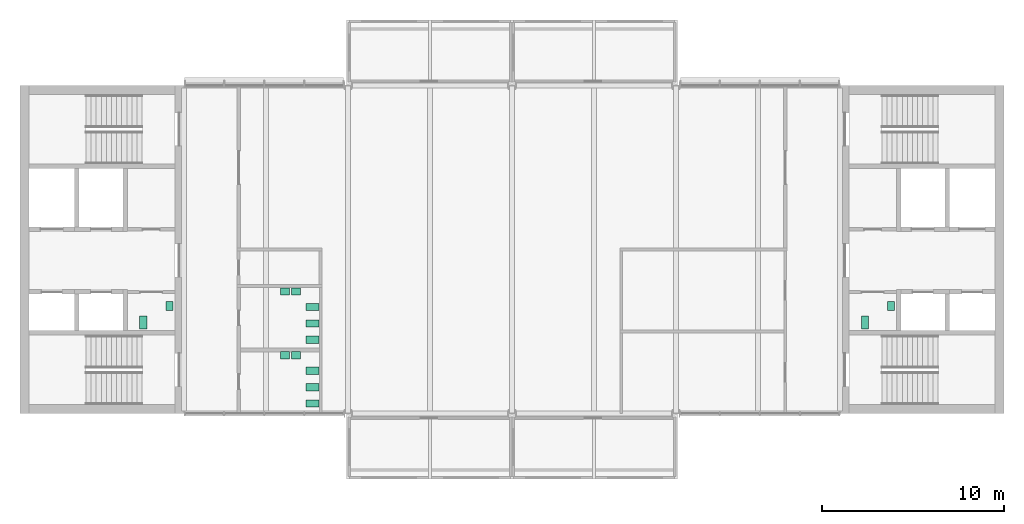
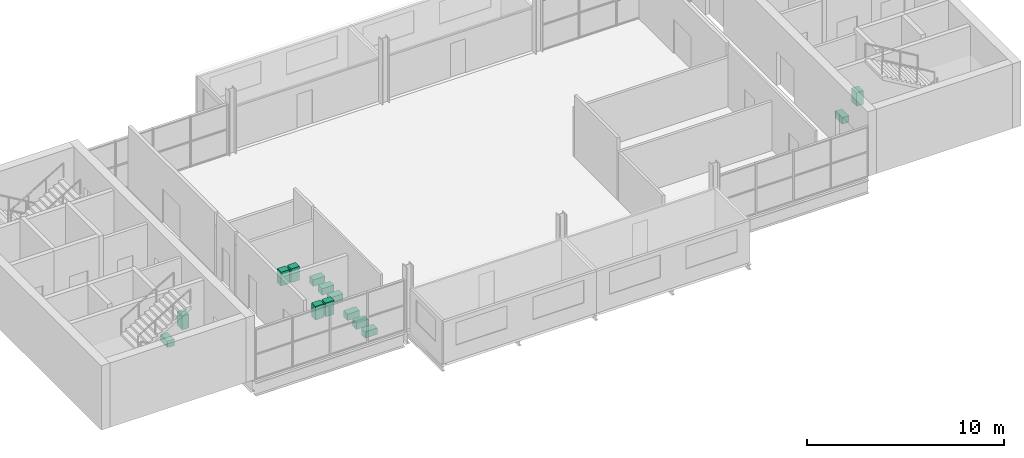
# One storey, part 10 of 10: 14 sanitary terminals.
"""IFC4 building model written with IfcOpenShell, lengths in metres."""

from ifc_helpers import new_model, si_unit, direction, frame, origin, origin_2d, place, context, subcontext, project, spatial, rectangle, extrude, element, save


model = new_model("IFC4")

# Units and contexts
model_context = context("Model", 3, precision=1e-05, world=origin(), true_north=direction((0.0, 1.0)))
body_context = subcontext(model_context, "Body", "Model", "MODEL_VIEW")
ifc_project = project(units=[si_unit("LENGTHUNIT", "METRE"), si_unit("AREAUNIT", "SQUARE_METRE"), si_unit("VOLUMEUNIT", "CUBIC_METRE"), si_unit("PLANEANGLEUNIT", "RADIAN"), si_unit("MASSUNIT", "GRAM", prefix="KILO")], contexts=[model_context])

# Site, building, storey
site_placement = place(None, origin())
site = spatial("IfcSite", under=ifc_project, at=site_placement, CompositionType="ELEMENT")
building_placement = place(site_placement, origin())
building = spatial("IfcBuilding", under=site, at=building_placement, Name="Corbel Yard City Hall", CompositionType="ELEMENT")
storey_placement = place(building_placement, frame((0.0, 0.0, 27.199951171875)))
storey = spatial("IfcBuildingStorey", under=building, at=storey_placement, Name="L06", CompositionType="ELEMENT", Elevation=27.199951171875)

# Sanitary terminals
sanitary_terminal_1_placement = place(storey_placement, frame((46.36669921875, 104.0, 0.0), z_axis=(0.0, 0.0, 1.0), x_axis=(1.0, 0.0, 0.0)))
element("IfcSanitaryTerminal", 1, at=sanitary_terminal_1_placement, inside=storey, Name="Water closet", PredefinedType="TOILETPAN", context=body_context, shape_type="SweptSolid", body=[
    extrude(rectangle(XDim=0.39990234375, YDim=0.699951171875, at=origin_2d()), origin(), (0.0, 0.0, 1.0), 0.39990234375),
])
sanitary_terminal_2_placement = place(storey_placement, frame((47.800048828125, 104.89990234375, 0.0), z_axis=(0.0, 0.0, 1.0), x_axis=(1.0, 0.0, 0.0)))
element("IfcSanitaryTerminal", 2, at=sanitary_terminal_2_placement, inside=storey, Name="Wash basin", PredefinedType="WASHHANDBASIN", context=body_context, shape_type="SweptSolid", body=[
    extrude(rectangle(XDim=0.39990234375, YDim=0.5, at=origin_2d()), origin(), (0.0, 0.0, 1.0), 0.85009765625),
])
sanitary_terminal_3_placement = place(storey_placement, frame((6.7666015625, 104.0, 0.0), z_axis=(0.0, 0.0, 1.0), x_axis=(1.0, 0.0, 0.0)))
element("IfcSanitaryTerminal", 3, at=sanitary_terminal_3_placement, inside=storey, Name="Water closet", PredefinedType="TOILETPAN", context=body_context, shape_type="SweptSolid", body=[
    extrude(rectangle(XDim=0.39990234375, YDim=0.699951171875, at=origin_2d()), origin(), (0.0, 0.0, 1.0), 0.39990234375),
])
sanitary_terminal_4_placement = place(storey_placement, frame((8.199951171875, 104.89990234375, 0.0), z_axis=(0.0, 0.0, 1.0), x_axis=(1.0, 0.0, 0.0)))
element("IfcSanitaryTerminal", 4, at=sanitary_terminal_4_placement, inside=storey, Name="Wash basin", PredefinedType="WASHHANDBASIN", context=body_context, shape_type="SweptSolid", body=[
    extrude(rectangle(XDim=0.39990234375, YDim=0.5, at=origin_2d()), origin(), (0.0, 0.0, 1.0), 0.85009765625),
])
for number, where, z_axis, x_axis, name in (
    (5, (16.050048828125, 99.550048828125, 0.0), (0.0, 0.0, 1.0), (1.0, 0.0, 0.0), "Water closet"),
    (6, (16.050048828125, 100.449951171875, 0.0), (0.0, 0.0, 1.0), (1.0, 0.0, 0.0), "Water closet"),
    (7, (16.050048828125, 101.35009765625, 0.0), (0.0, 0.0, 1.0), (1.0, 0.0, 0.0), "Water closet"),
):
    element("IfcSanitaryTerminal", number, at=place(storey_placement, frame(where, z_axis=z_axis, x_axis=x_axis)), inside=storey, Name=name, PredefinedType="TOILETPAN", context=body_context, shape_type="SweptSolid", body=[
        extrude(rectangle(XDim=0.699951171875, YDim=0.39990234375, at=origin_2d()), origin(), (0.0, 0.0, 1.0), 0.39990234375),
    ])
for number, where, z_axis, x_axis, name in (
    (8, (15.14990234375, 102.199951171875, 0.0), (0.0, 0.0, 1.0), (1.0, 0.0, 0.0), "Wash basin"),
    (9, (14.550048828125, 102.199951171875, 0.0), (0.0, 0.0, 1.0), (1.0, 0.0, 0.0), "Wash basin"),
):
    element("IfcSanitaryTerminal", number, at=place(storey_placement, frame(where, z_axis=z_axis, x_axis=x_axis)), inside=storey, Name=name, PredefinedType="WASHHANDBASIN", context=body_context, shape_type="SweptSolid", body=[
        extrude(rectangle(XDim=0.5, YDim=0.39990234375, at=origin_2d()), origin(), (0.0, 0.0, 1.0), 0.85009765625),
    ])
for number, where, z_axis, x_axis, name in (
    (10, (16.050048828125, 103.050048828125, 0.0), (0.0, 0.0, 1.0), (1.0, 0.0, 0.0), "Water closet"),
    (11, (16.050048828125, 103.949951171875, 0.0), (0.0, 0.0, 1.0), (1.0, 0.0, 0.0), "Water closet"),
    (12, (16.050048828125, 104.85009765625, 0.0), (0.0, 0.0, 1.0), (1.0, 0.0, 0.0), "Water closet"),
):
    element("IfcSanitaryTerminal", number, at=place(storey_placement, frame(where, z_axis=z_axis, x_axis=x_axis)), inside=storey, Name=name, PredefinedType="TOILETPAN", context=body_context, shape_type="SweptSolid", body=[
        extrude(rectangle(XDim=0.699951171875, YDim=0.39990234375, at=origin_2d()), origin(), (0.0, 0.0, 1.0), 0.39990234375),
    ])
for number, where, z_axis, x_axis, name in (
    (13, (15.14990234375, 105.699951171875, 0.0), (0.0, 0.0, 1.0), (1.0, 0.0, 0.0), "Wash basin"),
    (14, (14.550048828125, 105.699951171875, 0.0), (0.0, 0.0, 1.0), (1.0, 0.0, 0.0), "Wash basin"),
):
    element("IfcSanitaryTerminal", number, at=place(storey_placement, frame(where, z_axis=z_axis, x_axis=x_axis)), inside=storey, Name=name, PredefinedType="WASHHANDBASIN", context=body_context, shape_type="SweptSolid", body=[
        extrude(rectangle(XDim=0.5, YDim=0.39990234375, at=origin_2d()), origin(), (0.0, 0.0, 1.0), 0.85009765625),
    ])

save(model, "model.ifc")
